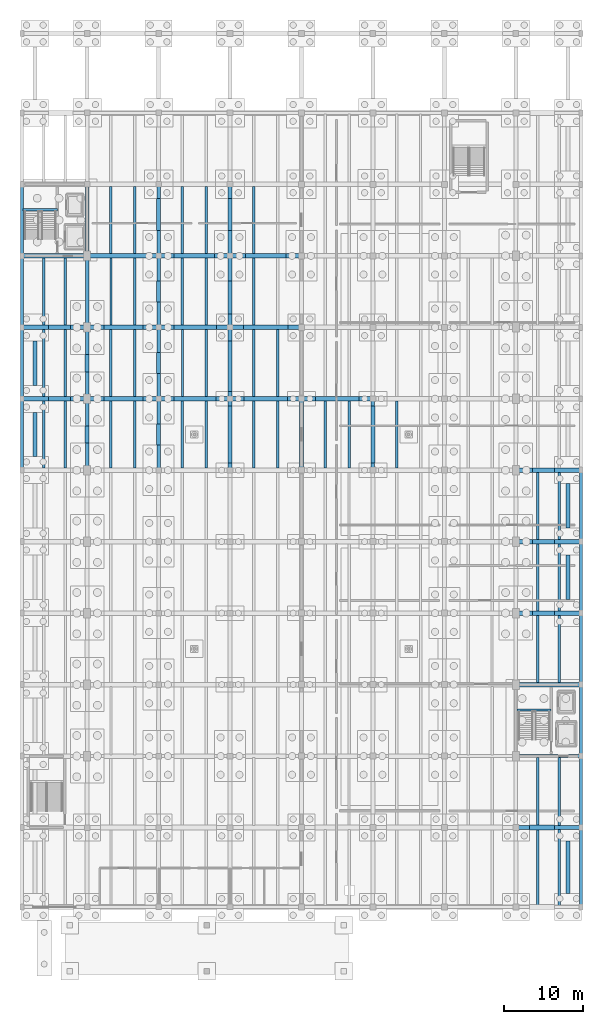
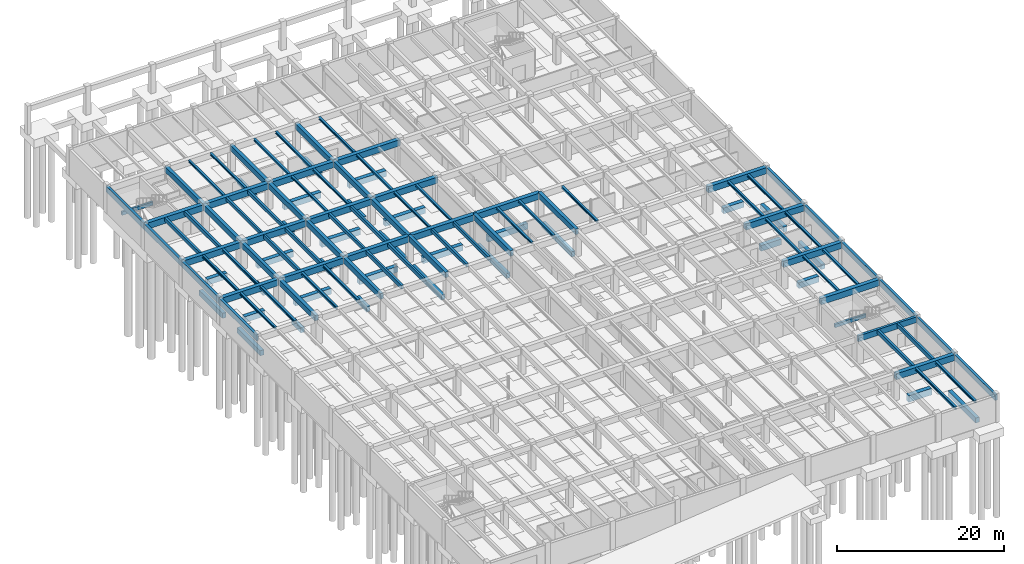
# One storey, part 14 of 23: 118 beams.
"""IFC4 building model written with IfcOpenShell, lengths in metres."""

from ifc_helpers import new_model, si_unit, direction, frame, origin, origin_2d, place, context, subcontext, project, spatial, rectangle, i_section, extrude, material, material_profile, profile_set, type_object, element, save


model = new_model("IFC4")

# Units and contexts
model_context = context("Model", 3, precision=1e-05, world=origin(), true_north=direction((0.0, 1.0)))
body_context = subcontext(model_context, "Body", "Model", "MODEL_VIEW")
ifc_project = project(units=[si_unit("LENGTHUNIT", "METRE"), si_unit("AREAUNIT", "SQUARE_METRE"), si_unit("VOLUMEUNIT", "CUBIC_METRE"), si_unit("PLANEANGLEUNIT", "RADIAN"), si_unit("MASSUNIT", "GRAM", prefix="KILO")], contexts=[model_context])

# Site, building, storey
site_placement = place(None, origin())
site = spatial("IfcSite", under=ifc_project, at=site_placement, CompositionType="ELEMENT")
building_placement = place(site_placement, origin())
building = spatial("IfcBuilding", under=site, at=building_placement, Name="Ornek Quay Market", CompositionType="ELEMENT")
storey_placement = place(building_placement, frame((0.0, 0.0, -4.199951171875)))
storey = spatial("IfcBuildingStorey", under=building, at=storey_placement, Name="B1", CompositionType="ELEMENT", Elevation=-4.199951171875)

# Beams
ifc_material_1 = material(Name="Concrete C35/45", Category="concrete")
ifc_material_profile_1 = material_profile(ifc_material_1, rectangle(XDim=0.449951171875, YDim=0.800048828125, at=origin_2d()), Name="RC 450x800", Category="concrete")
ifc_profile_set_1 = profile_set([ifc_material_profile_1], Name="Concrete C35/45")
beam_type_1 = type_object("IfcBeamType", Name="BM-B1-450x800", PredefinedType="BEAM", material=ifc_profile_set_1)
for number, where, z_axis, x_axis, name in (
    (1, (63.0, 65.0, 3.4599609375), (0.0, 1.0, 0.0), (-1.0, 0.0, 0.0), "Primary beam B-B1B-019"),
    (2, (63.0, 74.0, 3.4599609375), (0.0, 1.0, 0.0), (-1.0, 0.0, 0.0), "Primary beam B-B1B-020"),
    (3, (63.0, 83.0, 3.4599609375), (0.0, 1.0, 0.0), (-1.0, 0.0, 0.0), "Primary beam B-B1B-021"),
    (4, (63.0, 92.0, 3.4599609375), (0.0, 1.0, 0.0), (-1.0, 0.0, 0.0), "Primary beam B-B1B-022"),
    (5, (72.0, 65.0, 3.4599609375), (0.0, 1.0, 0.0), (-1.0, 0.0, 0.0), "Primary beam B-B1B-028"),
    (6, (72.0, 74.0, 3.4599609375), (0.0, 1.0, 0.0), (-1.0, 0.0, 0.0), "Primary beam B-B1B-029"),
    (7, (72.0, 83.0, 3.4599609375), (0.0, 1.0, 0.0), (-1.0, 0.0, 0.0), "Primary beam B-B1B-030"),
    (8, (72.0, 92.0, 3.4599609375), (0.0, 1.0, 0.0), (-1.0, 0.0, 0.0), "Primary beam B-B1B-031"),
    (9, (81.0, 65.0, 3.4599609375), (0.0, 1.0, 0.0), (-1.0, 0.0, 0.0), "Primary beam B-B1B-037"),
    (10, (81.0, 74.0, 3.4599609375), (0.0, 1.0, 0.0), (-1.0, 0.0, 0.0), "Primary beam B-B1B-038"),
    (11, (81.0, 83.0, 3.4599609375), (0.0, 1.0, 0.0), (-1.0, 0.0, 0.0), "Primary beam B-B1B-039"),
    (12, (81.0, 92.0, 3.4599609375), (0.0, 1.0, 0.0), (-1.0, 0.0, 0.0), "Primary beam B-B1B-040"),
    (13, (90.0, 65.0, 3.4599609375), (0.0, 1.0, 0.0), (-1.0, 0.0, 0.0), "Primary beam B-B1B-046"),
    (14, (99.0, 65.0, 3.4599609375), (0.0, 1.0, 0.0), (-1.0, 0.0, 0.0), "Primary beam B-B1B-055"),
):
    element("IfcBeam", number, at=place(storey_placement, frame(where, z_axis=z_axis, x_axis=x_axis)), inside=storey, type_object=beam_type_1, Name=name, PredefinedType="BEAM", context=body_context, shape_type="SweptSolid", body=[
        extrude(rectangle(XDim=0.449951171875, YDim=0.800048828125, at=origin_2d()), origin(), (0.0, 0.0, 1.0), 9.0),
    ])
ifc_material_2 = material(Name="Concrete C40/50", Category="concrete")
ifc_material_profile_2 = material_profile(ifc_material_2, rectangle(XDim=0.550048828125, YDim=0.89990234375, at=origin_2d()), Name="RC 550x900", Category="concrete")
ifc_profile_set_2 = profile_set([ifc_material_profile_2], Name="Concrete C40/50")
beam_type_2 = type_object("IfcBeamType", Name="BM-B1-550x900", PredefinedType="BEAM", material=ifc_profile_set_2)
for number, where, z_axis, x_axis, name in (
    (15, (117.0, 20.0, 3.369873046875), (1.0, 0.0, 0.0), (0.0, 1.0, 0.0), "Primary beam B-B1A-008"),
    (16, (117.0, 38.0, 3.409912109375), (1.0, 0.0, 0.0), (0.0, 1.0, 0.0), "Primary beam B-B1A-016"),
    (17, (117.0, 47.0, 3.409912109375), (1.0, 0.0, 0.0), (0.0, 1.0, 0.0), "Primary beam B-B1A-024"),
    (18, (117.0, 56.0, 3.409912109375), (1.0, 0.0, 0.0), (0.0, 1.0, 0.0), "Primary beam B-B1A-032"),
    (19, (117.0, 65.0, 3.409912109375), (1.0, 0.0, 0.0), (0.0, 1.0, 0.0), "Primary beam B-B1A-040"),
    (20, (54.800048828125, 74.0, 3.409912109375), (1.0, 0.0, 0.0), (0.0, 1.0, 0.0), "Primary beam B-B1A-041"),
):
    element("IfcBeam", number, at=place(storey_placement, frame(where, z_axis=z_axis, x_axis=x_axis)), inside=storey, type_object=beam_type_2, Name=name, PredefinedType="BEAM", context=body_context, shape_type="SweptSolid", body=[
        extrude(rectangle(XDim=0.550048828125, YDim=0.89990234375, at=origin_2d()), origin(), (0.0, 0.0, 1.0), 8.199951171875),
    ])
for number, where, z_axis, x_axis, name in (
    (21, (63.0, 74.0, 3.409912109375), (1.0, 0.0, 0.0), (0.0, 1.0, 0.0), "Primary beam B-B1A-042"),
    (22, (72.0, 74.0, 3.409912109375), (1.0, 0.0, 0.0), (0.0, 1.0, 0.0), "Primary beam B-B1A-043"),
    (23, (81.0, 74.0, 3.409912109375), (1.0, 0.0, 0.0), (0.0, 1.0, 0.0), "Primary beam B-B1A-044"),
    (24, (90.0, 74.0, 3.409912109375), (1.0, 0.0, 0.0), (0.0, 1.0, 0.0), "Primary beam B-B1A-045"),
):
    element("IfcBeam", number, at=place(storey_placement, frame(where, z_axis=z_axis, x_axis=x_axis)), inside=storey, type_object=beam_type_2, Name=name, PredefinedType="BEAM", context=body_context, shape_type="SweptSolid", body=[
        extrude(rectangle(XDim=0.550048828125, YDim=0.89990234375, at=origin_2d()), origin(), (0.0, 0.0, 1.0), 9.0),
    ])
beam_1_placement = place(storey_placement, frame((54.800048828125, 83.0, 3.409912109375), z_axis=(1.0, 0.0, 0.0), x_axis=(0.0, 1.0, 0.0)))
element("IfcBeam", 25, at=beam_1_placement, inside=storey, type_object=beam_type_2, Name="Primary beam B-B1A-049", PredefinedType="BEAM", context=body_context, shape_type="SweptSolid", body=[
    extrude(rectangle(XDim=0.550048828125, YDim=0.89990234375, at=origin_2d()), origin(), (0.0, 0.0, 1.0), 8.199951171875),
])
for number, where, z_axis, x_axis, name in (
    (26, (63.0, 83.0, 3.409912109375), (1.0, 0.0, 0.0), (0.0, 1.0, 0.0), "Primary beam B-B1A-050"),
    (27, (72.0, 83.0, 3.409912109375), (1.0, 0.0, 0.0), (0.0, 1.0, 0.0), "Primary beam B-B1A-051"),
    (28, (81.0, 83.0, 3.409912109375), (1.0, 0.0, 0.0), (0.0, 1.0, 0.0), "Primary beam B-B1A-052"),
):
    element("IfcBeam", number, at=place(storey_placement, frame(where, z_axis=z_axis, x_axis=x_axis)), inside=storey, type_object=beam_type_2, Name=name, PredefinedType="BEAM", context=body_context, shape_type="SweptSolid", body=[
        extrude(rectangle(XDim=0.550048828125, YDim=0.89990234375, at=origin_2d()), origin(), (0.0, 0.0, 1.0), 9.0),
    ])
beam_2_placement = place(storey_placement, frame((54.800048828125, 92.0, 3.409912109375), z_axis=(1.0, 0.0, 0.0), x_axis=(0.0, 1.0, 0.0)))
element("IfcBeam", 29, at=beam_2_placement, inside=storey, type_object=beam_type_2, Name="Primary beam B-B1A-057", PredefinedType="BEAM", context=body_context, shape_type="SweptSolid", body=[
    extrude(rectangle(XDim=0.550048828125, YDim=0.89990234375, at=origin_2d()), origin(), (0.0, 0.0, 1.0), 8.199951171875),
])
for number, where, z_axis, x_axis, name in (
    (30, (63.0, 92.0, 3.409912109375), (1.0, 0.0, 0.0), (0.0, 1.0, 0.0), "Primary beam B-B1A-058"),
    (31, (72.0, 92.0, 3.409912109375), (1.0, 0.0, 0.0), (0.0, 1.0, 0.0), "Primary beam B-B1A-059"),
    (32, (81.0, 92.0, 3.409912109375), (1.0, 0.0, 0.0), (0.0, 1.0, 0.0), "Primary beam B-B1A-060"),
):
    element("IfcBeam", number, at=place(storey_placement, frame(where, z_axis=z_axis, x_axis=x_axis)), inside=storey, type_object=beam_type_2, Name=name, PredefinedType="BEAM", context=body_context, shape_type="SweptSolid", body=[
        extrude(rectangle(XDim=0.550048828125, YDim=0.89990234375, at=origin_2d()), origin(), (0.0, 0.0, 1.0), 9.0),
    ])
ifc_material_profile_3 = material_profile(ifc_material_1, rectangle(XDim=0.5, YDim=0.75, at=origin_2d()), Name="RC 500x750", Category="concrete")
ifc_profile_set_3 = profile_set([ifc_material_profile_3], Name="Concrete C35/45")
beam_type_3 = type_object("IfcBeamType", Name="BM-GB-500x750", PredefinedType="BEAM", material=ifc_profile_set_3)
for number, where, z_axis, x_axis, name in (
    (33, (56.419921875, 66.699951171875, -0.375), (0.0, 1.0, 0.0), (-1.0, 0.0, 0.0), "Ground tie beam GB-216"),
    (34, (56.419921875, 75.699951171875, -0.375), (0.0, 1.0, 0.0), (-1.0, 0.0, 0.0), "Ground tie beam GB-217"),
):
    element("IfcBeam", number, at=place(storey_placement, frame(where, z_axis=z_axis, x_axis=x_axis)), inside=storey, type_object=beam_type_3, Name=name, PredefinedType="BEAM", context=body_context, shape_type="SweptSolid", body=[
        extrude(rectangle(XDim=0.5, YDim=0.75, at=origin_2d()), origin(), (0.0, 0.0, 1.0), 5.60009765625),
    ])
for number, where, z_axis, x_axis, name in (
    (35, (63.0, 68.39990234375, -0.375), (0.0, 1.0, 0.0), (-1.0, 0.0, 0.0), "Ground tie beam GB-225"),
    (36, (63.0, 77.39990234375, -0.375), (0.0, 1.0, 0.0), (-1.0, 0.0, 0.0), "Ground tie beam GB-226"),
):
    element("IfcBeam", number, at=place(storey_placement, frame(where, z_axis=z_axis, x_axis=x_axis)), inside=storey, type_object=beam_type_3, Name=name, PredefinedType="BEAM", context=body_context, shape_type="SweptSolid", body=[
        extrude(rectangle(XDim=0.5, YDim=0.75, at=origin_2d()), origin(), (0.0, 0.0, 1.0), 2.2001953125),
    ])
for number, where, z_axis, x_axis, name in (
    (37, (72.0, 68.199951171875, -0.375), (0.0, 1.0, 0.0), (-1.0, 0.0, 0.0), "Ground tie beam GB-234"),
    (38, (72.0, 77.199951171875, -0.375), (0.0, 1.0, 0.0), (-1.0, 0.0, 0.0), "Ground tie beam GB-235"),
    (39, (72.0, 86.199951171875, -0.375), (0.0, 1.0, 0.0), (-1.0, 0.0, 0.0), "Ground tie beam GB-236"),
):
    element("IfcBeam", number, at=place(storey_placement, frame(where, z_axis=z_axis, x_axis=x_axis)), inside=storey, type_object=beam_type_3, Name=name, PredefinedType="BEAM", context=body_context, shape_type="SweptSolid", body=[
        extrude(rectangle(XDim=0.5, YDim=0.75, at=origin_2d()), origin(), (0.0, 0.0, 1.0), 2.60009765625),
    ])
beam_3_placement = place(storey_placement, frame((72.0, 95.199951171875, -0.375), z_axis=(0.0, 1.0, 0.0), x_axis=(-1.0, 0.0, 0.0)))
element("IfcBeam", 40, at=beam_3_placement, inside=storey, type_object=beam_type_3, Name="Ground tie beam GB-237", PredefinedType="BEAM", context=body_context, shape_type="SweptSolid", body=[
    extrude(rectangle(XDim=0.5, YDim=0.75, at=origin_2d()), origin(), (0.0, 0.0, 1.0), 4.0),
])
beam_4_placement = place(storey_placement, frame((81.0, 65.89990234375, -0.375), z_axis=(0.0, 1.0, 0.0), x_axis=(-1.0, 0.0, 0.0)))
element("IfcBeam", 41, at=beam_4_placement, inside=storey, type_object=beam_type_3, Name="Ground tie beam GB-246", PredefinedType="BEAM", context=body_context, shape_type="SweptSolid", body=[
    extrude(rectangle(XDim=0.5, YDim=0.75, at=origin_2d()), origin(), (0.0, 0.0, 1.0), 7.2001953125),
])
beam_5_placement = place(storey_placement, frame((81.0, 74.89990234375, -0.375), z_axis=(0.0, 1.0, 0.0), x_axis=(-1.0, 0.0, 0.0)))
element("IfcBeam", 42, at=beam_5_placement, inside=storey, type_object=beam_type_3, Name="Ground tie beam GB-247", PredefinedType="BEAM", context=body_context, shape_type="SweptSolid", body=[
    extrude(rectangle(XDim=0.5, YDim=0.75, at=origin_2d()), origin(), (0.0, 0.0, 1.0), 6.400146484375),
])
beam_6_placement = place(storey_placement, frame((81.0, 84.699951171875, -0.375), z_axis=(0.0, 1.0, 0.0), x_axis=(-1.0, 0.0, 0.0)))
element("IfcBeam", 43, at=beam_6_placement, inside=storey, type_object=beam_type_3, Name="Ground tie beam GB-248", PredefinedType="BEAM", context=body_context, shape_type="SweptSolid", body=[
    extrude(rectangle(XDim=0.5, YDim=0.75, at=origin_2d()), origin(), (0.0, 0.0, 1.0), 4.10009765625),
])
beam_7_placement = place(storey_placement, frame((81.0, 95.199951171875, -0.375), z_axis=(0.0, 1.0, 0.0), x_axis=(-1.0, 0.0, 0.0)))
element("IfcBeam", 44, at=beam_7_placement, inside=storey, type_object=beam_type_3, Name="Ground tie beam GB-249", PredefinedType="BEAM", context=body_context, shape_type="SweptSolid", body=[
    extrude(rectangle(XDim=0.5, YDim=0.75, at=origin_2d()), origin(), (0.0, 0.0, 1.0), 4.0),
])
for number, where, z_axis, x_axis, name in (
    (45, (90.0, 65.89990234375, -0.375), (0.0, 1.0, 0.0), (-1.0, 0.0, 0.0), "Ground tie beam GB-258"),
    (46, (99.0, 65.89990234375, -0.375), (0.0, 1.0, 0.0), (-1.0, 0.0, 0.0), "Ground tie beam GB-270"),
):
    element("IfcBeam", number, at=place(storey_placement, frame(where, z_axis=z_axis, x_axis=x_axis)), inside=storey, type_object=beam_type_3, Name=name, PredefinedType="BEAM", context=body_context, shape_type="SweptSolid", body=[
        extrude(rectangle(XDim=0.5, YDim=0.75, at=origin_2d()), origin(), (0.0, 0.0, 1.0), 7.2001953125),
    ])
beam_8_placement = place(storey_placement, frame((123.580078125, 11.699951171875, -0.375), z_axis=(0.0, 1.0, 0.0), x_axis=(-1.0, 0.0, 0.0)))
element("IfcBeam", 47, at=beam_8_placement, inside=storey, type_object=beam_type_3, Name="Ground tie beam GB-297", PredefinedType="BEAM", context=body_context, shape_type="SweptSolid", body=[
    extrude(rectangle(XDim=0.5, YDim=0.75, at=origin_2d()), origin(), (0.0, 0.0, 1.0), 6.60009765625),
])
for number, where, z_axis, x_axis, name in (
    (48, (123.580078125, 48.699951171875, -0.375), (0.0, 1.0, 0.0), (-1.0, 0.0, 0.0), "Ground tie beam GB-298"),
    (49, (123.580078125, 57.699951171875, -0.375), (0.0, 1.0, 0.0), (-1.0, 0.0, 0.0), "Ground tie beam GB-299"),
):
    element("IfcBeam", number, at=place(storey_placement, frame(where, z_axis=z_axis, x_axis=x_axis)), inside=storey, type_object=beam_type_3, Name=name, PredefinedType="BEAM", context=body_context, shape_type="SweptSolid", body=[
        extrude(rectangle(XDim=0.5, YDim=0.75, at=origin_2d()), origin(), (0.0, 0.0, 1.0), 5.60009765625),
    ])
ifc_material_profile_4 = material_profile(ifc_material_1, rectangle(XDim=0.550048828125, YDim=0.85009765625, at=origin_2d()), Name="RC 550x850", Category="concrete")
ifc_profile_set_4 = profile_set([ifc_material_profile_4], Name="Concrete C35/45")
beam_type_4 = type_object("IfcBeamType", Name="BM-GB-550x850", PredefinedType="BEAM", material=ifc_profile_set_4)
for number, where, z_axis, x_axis, name in (
    (50, (119.10009765625, 47.0, -0.425048828125), (1.0, 0.0, 0.0), (0.0, 1.0, 0.0), "Ground tie beam GB-149"),
    (51, (119.10009765625, 56.0, -0.425048828125), (1.0, 0.0, 0.0), (0.0, 1.0, 0.0), "Ground tie beam GB-157"),
    (52, (119.10009765625, 65.0, -0.425048828125), (1.0, 0.0, 0.0), (0.0, 1.0, 0.0), "Ground tie beam GB-165"),
    (53, (58.1201171875, 74.0, -0.425048828125), (1.0, 0.0, 0.0), (0.0, 1.0, 0.0), "Ground tie beam GB-166"),
):
    element("IfcBeam", number, at=place(storey_placement, frame(where, z_axis=z_axis, x_axis=x_axis)), inside=storey, type_object=beam_type_4, Name=name, PredefinedType="BEAM", context=body_context, shape_type="SweptSolid", body=[
        extrude(rectangle(XDim=0.550048828125, YDim=0.85009765625, at=origin_2d()), origin(), (0.0, 0.0, 1.0), 2.77978515625),
    ])
beam_9_placement = place(storey_placement, frame((65.10009765625, 74.0, -0.425048828125), z_axis=(1.0, 0.0, 0.0), x_axis=(0.0, 1.0, 0.0)))
element("IfcBeam", 54, at=beam_9_placement, inside=storey, type_object=beam_type_4, Name="Ground tie beam GB-167", PredefinedType="BEAM", context=body_context, shape_type="SweptSolid", body=[
    extrude(rectangle(XDim=0.550048828125, YDim=0.85009765625, at=origin_2d()), origin(), (0.0, 0.0, 1.0), 4.949951171875),
])
beam_10_placement = place(storey_placement, frame((73.949951171875, 74.0, -0.425048828125), z_axis=(1.0, 0.0, 0.0), x_axis=(0.0, 1.0, 0.0)))
element("IfcBeam", 55, at=beam_10_placement, inside=storey, type_object=beam_type_4, Name="Ground tie beam GB-168", PredefinedType="BEAM", context=body_context, shape_type="SweptSolid", body=[
    extrude(rectangle(XDim=0.550048828125, YDim=0.85009765625, at=origin_2d()), origin(), (0.0, 0.0, 1.0), 5.300048828125),
])
for number, where, z_axis, x_axis, name in (
    (56, (82.75, 74.0, -0.425048828125), (1.0, 0.0, 0.0), (0.0, 1.0, 0.0), "Ground tie beam GB-169"),
    (57, (91.75, 74.0, -0.425048828125), (1.0, 0.0, 0.0), (0.0, 1.0, 0.0), "Ground tie beam GB-170"),
):
    element("IfcBeam", number, at=place(storey_placement, frame(where, z_axis=z_axis, x_axis=x_axis)), inside=storey, type_object=beam_type_4, Name=name, PredefinedType="BEAM", context=body_context, shape_type="SweptSolid", body=[
        extrude(rectangle(XDim=0.550048828125, YDim=0.85009765625, at=origin_2d()), origin(), (0.0, 0.0, 1.0), 5.5),
    ])
beam_11_placement = place(storey_placement, frame((58.1201171875, 83.0, -0.425048828125), z_axis=(1.0, 0.0, 0.0), x_axis=(0.0, 1.0, 0.0)))
element("IfcBeam", 58, at=beam_11_placement, inside=storey, type_object=beam_type_4, Name="Ground tie beam GB-174", PredefinedType="BEAM", context=body_context, shape_type="SweptSolid", body=[
    extrude(rectangle(XDim=0.550048828125, YDim=0.85009765625, at=origin_2d()), origin(), (0.0, 0.0, 1.0), 2.77978515625),
])
beam_12_placement = place(storey_placement, frame((65.10009765625, 83.0, -0.425048828125), z_axis=(1.0, 0.0, 0.0), x_axis=(0.0, 1.0, 0.0)))
element("IfcBeam", 59, at=beam_12_placement, inside=storey, type_object=beam_type_4, Name="Ground tie beam GB-175", PredefinedType="BEAM", context=body_context, shape_type="SweptSolid", body=[
    extrude(rectangle(XDim=0.550048828125, YDim=0.85009765625, at=origin_2d()), origin(), (0.0, 0.0, 1.0), 4.949951171875),
])
beam_13_placement = place(storey_placement, frame((73.949951171875, 83.0, -0.425048828125), z_axis=(1.0, 0.0, 0.0), x_axis=(0.0, 1.0, 0.0)))
element("IfcBeam", 60, at=beam_13_placement, inside=storey, type_object=beam_type_4, Name="Ground tie beam GB-176", PredefinedType="BEAM", context=body_context, shape_type="SweptSolid", body=[
    extrude(rectangle(XDim=0.550048828125, YDim=0.85009765625, at=origin_2d()), origin(), (0.0, 0.0, 1.0), 5.35009765625),
])
beam_14_placement = place(storey_placement, frame((82.699951171875, 83.0, -0.425048828125), z_axis=(1.0, 0.0, 0.0), x_axis=(0.0, 1.0, 0.0)))
element("IfcBeam", 61, at=beam_14_placement, inside=storey, type_object=beam_type_4, Name="Ground tie beam GB-177", PredefinedType="BEAM", context=body_context, shape_type="SweptSolid", body=[
    extrude(rectangle(XDim=0.550048828125, YDim=0.85009765625, at=origin_2d()), origin(), (0.0, 0.0, 1.0), 5.60009765625),
])
for number, where, z_axis, x_axis, name in (
    (62, (73.949951171875, 92.0, -0.425048828125), (1.0, 0.0, 0.0), (0.0, 1.0, 0.0), "Ground tie beam GB-182"),
    (63, (82.949951171875, 92.0, -0.425048828125), (1.0, 0.0, 0.0), (0.0, 1.0, 0.0), "Ground tie beam GB-183"),
):
    element("IfcBeam", number, at=place(storey_placement, frame(where, z_axis=z_axis, x_axis=x_axis)), inside=storey, type_object=beam_type_4, Name=name, PredefinedType="BEAM", context=body_context, shape_type="SweptSolid", body=[
        extrude(rectangle(XDim=0.550048828125, YDim=0.85009765625, at=origin_2d()), origin(), (0.0, 0.0, 1.0), 5.10009765625),
    ])
ifc_material_profile_5 = material_profile(ifc_material_1, rectangle(XDim=0.60009765625, YDim=0.949951171875, at=origin_2d()), Name="RC 600x950", Category="concrete")
ifc_profile_set_5 = profile_set([ifc_material_profile_5], Name="Concrete C35/45")
beam_type_5 = type_object("IfcBeamType", Name="BM-GB-600x950", PredefinedType="BEAM", material=ifc_profile_set_5)
beam_15_placement = place(storey_placement, frame((118.699951171875, 20.0, -0.47509765625), z_axis=(1.0, 0.0, 0.0), x_axis=(0.0, 1.0, 0.0)))
element("IfcBeam", 64, at=beam_15_placement, inside=storey, type_object=beam_type_5, Name="Ground tie beam GB-129", PredefinedType="BEAM", context=body_context, shape_type="SweptSolid", body=[
    extrude(rectangle(XDim=0.60009765625, YDim=0.949951171875, at=origin_2d()), origin(), (0.0, 0.0, 1.0), 3.179931640625),
])
ifc_material_profile_6 = material_profile(ifc_material_1, rectangle(XDim=0.280029296875, YDim=0.5, at=origin_2d()), Name="RC 280x500", Category="concrete")
ifc_profile_set_6 = profile_set([ifc_material_profile_6], Name="Concrete C35/45")
beam_type_6 = type_object("IfcBeamType", Name="BM-SEC-280x500", PredefinedType="JOIST", material=ifc_profile_set_6)
for number, where, z_axis, x_axis, name in (
    (65, (66.0, 83.26708984375, 3.60986328125), (0.0, 1.0, 0.0), (-1.0, 0.0, 0.0), "Secondary joist B-SC2-005"),
    (66, (69.0, 83.26708984375, 3.60986328125), (0.0, 1.0, 0.0), (-1.0, 0.0, 0.0), "Secondary joist B-SC2-006"),
    (67, (75.0, 74.26708984375, 3.60986328125), (0.0, 1.0, 0.0), (-1.0, 0.0, 0.0), "Secondary joist B-SC2-007"),
    (68, (78.0, 74.26708984375, 3.60986328125), (0.0, 1.0, 0.0), (-1.0, 0.0, 0.0), "Secondary joist B-SC2-008"),
    (69, (84.0, 65.26708984375, 3.60986328125), (0.0, 1.0, 0.0), (-1.0, 0.0, 0.0), "Secondary joist B-SC2-009"),
    (70, (87.0, 65.26708984375, 3.60986328125), (0.0, 1.0, 0.0), (-1.0, 0.0, 0.0), "Secondary joist B-SC2-010"),
):
    element("IfcBeam", number, at=place(storey_placement, frame(where, z_axis=z_axis, x_axis=x_axis)), inside=storey, type_object=beam_type_6, Name=name, PredefinedType="JOIST", context=body_context, shape_type="SweptSolid", body=[
        extrude(rectangle(XDim=0.280029296875, YDim=0.5, at=origin_2d()), origin(), (0.0, 0.0, 1.0), 8.4658203125),
    ])
for number, where, z_axis, x_axis, name in (
    (71, (54.949951171875, 97.7919921875, 1.68505859375), (1.0, 0.0, 0.0), (0.0, 1.0, 0.0), "Stair landing beam BL-04"),
    (72, (117.14990234375, 34.7919921875, 1.68505859375), (1.0, 0.0, 0.0), (0.0, 1.0, 0.0), "Stair landing beam BL-07"),
):
    element("IfcBeam", number, at=place(storey_placement, frame(where, z_axis=z_axis, x_axis=x_axis)), inside=storey, type_object=beam_type_6, Name=name, PredefinedType="JOIST", context=body_context, shape_type="SweptSolid", body=[
        extrude(rectangle(XDim=0.280029296875, YDim=0.5, at=origin_2d()), origin(), (0.0, 0.0, 1.0), 4.300048828125),
    ])
ifc_material_profile_7 = material_profile(ifc_material_1, rectangle(XDim=0.300048828125, YDim=0.550048828125, at=origin_2d()), Name="RC 300x550", Category="concrete")
ifc_profile_set_7 = profile_set([ifc_material_profile_7], Name="Concrete C35/45")
beam_type_7 = type_object("IfcBeamType", Name="BM-SEC-300x550", PredefinedType="JOIST", material=ifc_profile_set_7)
for number, where, z_axis, x_axis, name in (
    (73, (119.7333984375, 20.26708984375, 3.544921875), (0.0, 1.0, 0.0), (-1.0, 0.0, 0.0), "Secondary joist B-SC1-007"),
    (74, (122.466796875, 20.26708984375, 3.544921875), (0.0, 1.0, 0.0), (-1.0, 0.0, 0.0), "Secondary joist B-SC1-008"),
):
    element("IfcBeam", number, at=place(storey_placement, frame(where, z_axis=z_axis, x_axis=x_axis)), inside=storey, type_object=beam_type_7, Name=name, PredefinedType="JOIST", context=body_context, shape_type="SweptSolid", body=[
        extrude(rectangle(XDim=0.300048828125, YDim=0.550048828125, at=origin_2d()), origin(), (0.0, 0.0, 1.0), 8.56591796875),
    ])
for number, where, z_axis, x_axis, name in (
    (75, (57.533203125, 83.26708984375, 3.5849609375), (0.0, 1.0, 0.0), (-1.0, 0.0, 0.0), "Secondary joist B-SC1-011"),
    (76, (60.2666015625, 83.26708984375, 3.5849609375), (0.0, 1.0, 0.0), (-1.0, 0.0, 0.0), "Secondary joist B-SC1-012"),
    (77, (66.0, 74.26708984375, 3.5849609375), (0.0, 1.0, 0.0), (-1.0, 0.0, 0.0), "Secondary joist B-SC1-013"),
    (78, (69.0, 74.26708984375, 3.5849609375), (0.0, 1.0, 0.0), (-1.0, 0.0, 0.0), "Secondary joist B-SC1-014"),
    (79, (75.0, 65.26708984375, 3.5849609375), (0.0, 1.0, 0.0), (-1.0, 0.0, 0.0), "Secondary joist B-SC1-015"),
    (80, (78.0, 65.26708984375, 3.5849609375), (0.0, 1.0, 0.0), (-1.0, 0.0, 0.0), "Secondary joist B-SC1-016"),
):
    element("IfcBeam", number, at=place(storey_placement, frame(where, z_axis=z_axis, x_axis=x_axis)), inside=storey, type_object=beam_type_7, Name=name, PredefinedType="JOIST", context=body_context, shape_type="SweptSolid", body=[
        extrude(rectangle(XDim=0.300048828125, YDim=0.550048828125, at=origin_2d()), origin(), (0.0, 0.0, 1.0), 8.4658203125),
    ])
ifc_material_profile_8 = material_profile(ifc_material_2, rectangle(XDim=0.35009765625, YDim=0.85009765625, at=origin_2d()), Name="RC 350x850", Category="concrete")
ifc_profile_set_8 = profile_set([ifc_material_profile_8], Name="Concrete C40/50")
beam_type_8 = type_object("IfcBeamType", Name="BM-SPN-350x850", PredefinedType="SPANDREL", material=ifc_profile_set_8)
beam_16_placement = place(storey_placement, frame((117.0, 29.0, 3.39501953125), z_axis=(1.0, 0.0, 0.0), x_axis=(0.0, 1.0, 0.0)))
element("IfcBeam", 81, at=beam_16_placement, inside=storey, type_object=beam_type_8, Name="Primary beam B-SP1-016", PredefinedType="SPANDREL", context=body_context, shape_type="SweptSolid", body=[
    extrude(rectangle(XDim=0.35009765625, YDim=0.85009765625, at=origin_2d()), origin(), (0.0, 0.0, 1.0), 8.199951171875),
])
beam_17_placement = place(storey_placement, frame((125.199951171875, 10.0, 3.39501953125), z_axis=(0.0, 1.0, 0.0), x_axis=(-1.0, 0.0, 0.0)))
element("IfcBeam", 82, at=beam_17_placement, inside=storey, type_object=beam_type_8, Name="Primary beam B-SP1-019", PredefinedType="SPANDREL", context=body_context, shape_type="SweptSolid", body=[
    extrude(rectangle(XDim=0.35009765625, YDim=0.85009765625, at=origin_2d()), origin(), (0.0, 0.0, 1.0), 10.0),
])
for number, where, z_axis, x_axis, name in (
    (83, (125.199951171875, 20.0, 3.39501953125), (0.0, 1.0, 0.0), (-1.0, 0.0, 0.0), "Primary beam B-SP1-020"),
    (84, (54.800048828125, 65.0, 3.43505859375), (0.0, 1.0, 0.0), (-1.0, 0.0, 0.0), "Primary beam B-SP1-033"),
    (85, (54.800048828125, 74.0, 3.43505859375), (0.0, 1.0, 0.0), (-1.0, 0.0, 0.0), "Primary beam B-SP1-034"),
    (86, (54.800048828125, 83.0, 3.43505859375), (0.0, 1.0, 0.0), (-1.0, 0.0, 0.0), "Primary beam B-SP1-035"),
    (87, (54.800048828125, 92.0, 3.43505859375), (0.0, 1.0, 0.0), (-1.0, 0.0, 0.0), "Primary beam B-SP1-036"),
    (88, (125.199951171875, 29.0, 3.43505859375), (0.0, 1.0, 0.0), (-1.0, 0.0, 0.0), "Primary beam B-SP1-038"),
    (89, (125.199951171875, 38.0, 3.43505859375), (0.0, 1.0, 0.0), (-1.0, 0.0, 0.0), "Primary beam B-SP1-039"),
    (90, (125.199951171875, 47.0, 3.43505859375), (0.0, 1.0, 0.0), (-1.0, 0.0, 0.0), "Primary beam B-SP1-040"),
    (91, (125.199951171875, 56.0, 3.43505859375), (0.0, 1.0, 0.0), (-1.0, 0.0, 0.0), "Primary beam B-SP1-041"),
):
    element("IfcBeam", number, at=place(storey_placement, frame(where, z_axis=z_axis, x_axis=x_axis)), inside=storey, type_object=beam_type_8, Name=name, PredefinedType="SPANDREL", context=body_context, shape_type="SweptSolid", body=[
        extrude(rectangle(XDim=0.35009765625, YDim=0.85009765625, at=origin_2d()), origin(), (0.0, 0.0, 1.0), 9.0),
    ])
ifc_material_3 = material(Name="Steel S355", Category="steel")
ifc_material_profile_9 = material_profile(ifc_material_3, i_section(OverallWidth=0.300048828125, OverallDepth=0.2900390625, WebThickness=0.008544921875, FlangeThickness=0.013916015625, FilletRadius=0.027099609375, at=origin_2d()), Name="HEA 300", Category="steel")
ifc_profile_set_9 = profile_set([ifc_material_profile_9], Name="Steel S355")
beam_type_9 = type_object("IfcBeamType", Name="BM-STL-HEA300", PredefinedType="BEAM", material=ifc_profile_set_9)
for number, where, z_axis, x_axis, name in (
    (92, (66.0, 92.26708984375, 3.71484375), (0.0, 1.0, 0.0), (-1.0, 0.0, 0.0), "Secondary joist SB-17-007"),
    (93, (69.0, 92.26708984375, 3.71484375), (0.0, 1.0, 0.0), (-1.0, 0.0, 0.0), "Secondary joist SB-17-008"),
    (94, (75.0, 83.26708984375, 3.71484375), (0.0, 1.0, 0.0), (-1.0, 0.0, 0.0), "Secondary joist SB-17-011"),
    (95, (78.0, 83.26708984375, 3.71484375), (0.0, 1.0, 0.0), (-1.0, 0.0, 0.0), "Secondary joist SB-17-012"),
    (96, (84.0, 74.26708984375, 3.71484375), (0.0, 1.0, 0.0), (-1.0, 0.0, 0.0), "Secondary joist SB-17-013"),
    (97, (87.0, 74.26708984375, 3.71484375), (0.0, 1.0, 0.0), (-1.0, 0.0, 0.0), "Secondary joist SB-17-014"),
    (98, (93.0, 65.26708984375, 3.71484375), (0.0, 1.0, 0.0), (-1.0, 0.0, 0.0), "Secondary joist SB-17-015"),
    (99, (96.0, 65.26708984375, 3.71484375), (0.0, 1.0, 0.0), (-1.0, 0.0, 0.0), "Secondary joist SB-17-016"),
    (100, (119.7333984375, 38.26708984375, 3.71484375), (0.0, 1.0, 0.0), (-1.0, 0.0, 0.0), "Secondary joist SB-17-021"),
    (101, (122.466796875, 38.26708984375, 3.71484375), (0.0, 1.0, 0.0), (-1.0, 0.0, 0.0), "Secondary joist SB-17-022"),
):
    element("IfcBeam", number, at=place(storey_placement, frame(where, z_axis=z_axis, x_axis=x_axis)), inside=storey, type_object=beam_type_9, Name=name, PredefinedType="BEAM", context=body_context, shape_type="SweptSolid", body=[
        extrude(i_section(OverallWidth=0.300048828125, OverallDepth=0.2900390625, WebThickness=0.008544921875, FlangeThickness=0.013916015625, FilletRadius=0.027099609375, at=origin_2d()), origin(), (0.0, 0.0, 1.0), 8.4658203125),
    ])
ifc_material_profile_10 = material_profile(ifc_material_3, i_section(OverallWidth=0.300048828125, OverallDepth=0.31005859375, WebThickness=0.009033203125, FlangeThickness=0.015380859375, FilletRadius=0.027099609375, at=origin_2d()), Name="HEA 320", Category="steel")
ifc_profile_set_10 = profile_set([ifc_material_profile_10], Name="Steel S355")
beam_type_10 = type_object("IfcBeamType", Name="BM-STL-HEA320", PredefinedType="BEAM", material=ifc_profile_set_10)
for number, where, z_axis, x_axis, name in (
    (102, (75.0, 92.26708984375, 3.704833984375), (0.0, 1.0, 0.0), (-1.0, 0.0, 0.0), "Secondary joist SB-18-009"),
    (103, (78.0, 92.26708984375, 3.704833984375), (0.0, 1.0, 0.0), (-1.0, 0.0, 0.0), "Secondary joist SB-18-010"),
    (104, (84.0, 83.26708984375, 3.704833984375), (0.0, 1.0, 0.0), (-1.0, 0.0, 0.0), "Secondary joist SB-18-013"),
    (105, (102.0, 65.26708984375, 3.704833984375), (0.0, 1.0, 0.0), (-1.0, 0.0, 0.0), "Secondary joist SB-18-017"),
    (106, (119.7333984375, 47.26708984375, 3.704833984375), (0.0, 1.0, 0.0), (-1.0, 0.0, 0.0), "Secondary joist SB-18-021"),
    (107, (122.466796875, 47.26708984375, 3.704833984375), (0.0, 1.0, 0.0), (-1.0, 0.0, 0.0), "Secondary joist SB-18-022"),
):
    element("IfcBeam", number, at=place(storey_placement, frame(where, z_axis=z_axis, x_axis=x_axis)), inside=storey, type_object=beam_type_10, Name=name, PredefinedType="BEAM", context=body_context, shape_type="SweptSolid", body=[
        extrude(i_section(OverallWidth=0.300048828125, OverallDepth=0.31005859375, WebThickness=0.009033203125, FlangeThickness=0.015380859375, FilletRadius=0.027099609375, at=origin_2d()), origin(), (0.0, 0.0, 1.0), 8.4658203125),
    ])
ifc_material_profile_11 = material_profile(ifc_material_3, i_section(OverallWidth=0.300048828125, OverallDepth=0.35009765625, WebThickness=0.010009765625, FlangeThickness=0.017578125, FilletRadius=0.027099609375, at=origin_2d()), Name="HEA 360", Category="steel")
ifc_profile_set_11 = profile_set([ifc_material_profile_11], Name="Steel S355")
beam_type_11 = type_object("IfcBeamType", Name="BM-STL-HEA360", PredefinedType="BEAM", material=ifc_profile_set_11)
for number, where, z_axis, x_axis, name in (
    (108, (57.533203125, 65.26708984375, 3.68505859375), (0.0, 1.0, 0.0), (-1.0, 0.0, 0.0), "Secondary joist SB-19-001"),
    (109, (60.2666015625, 65.26708984375, 3.68505859375), (0.0, 1.0, 0.0), (-1.0, 0.0, 0.0), "Secondary joist SB-19-002"),
    (110, (84.0, 92.26708984375, 3.68505859375), (0.0, 1.0, 0.0), (-1.0, 0.0, 0.0), "Secondary joist SB-19-011"),
    (111, (119.7333984375, 56.26708984375, 3.68505859375), (0.0, 1.0, 0.0), (-1.0, 0.0, 0.0), "Secondary joist SB-19-021"),
    (112, (122.466796875, 56.26708984375, 3.68505859375), (0.0, 1.0, 0.0), (-1.0, 0.0, 0.0), "Secondary joist SB-19-022"),
):
    element("IfcBeam", number, at=place(storey_placement, frame(where, z_axis=z_axis, x_axis=x_axis)), inside=storey, type_object=beam_type_11, Name=name, PredefinedType="BEAM", context=body_context, shape_type="SweptSolid", body=[
        extrude(i_section(OverallWidth=0.300048828125, OverallDepth=0.35009765625, WebThickness=0.010009765625, FlangeThickness=0.017578125, FilletRadius=0.027099609375, at=origin_2d()), origin(), (0.0, 0.0, 1.0), 8.4658203125),
    ])
ifc_material_profile_12 = material_profile(ifc_material_3, i_section(OverallWidth=0.300048828125, OverallDepth=0.389892578125, WebThickness=0.010986328125, FlangeThickness=0.01904296875, FilletRadius=0.027099609375, at=origin_2d()), Name="HEA 400", Category="steel")
ifc_profile_set_12 = profile_set([ifc_material_profile_12], Name="Steel S355")
beam_type_12 = type_object("IfcBeamType", Name="BM-STL-HEA400", PredefinedType="BEAM", material=ifc_profile_set_12)
for number, where, z_axis, x_axis, name in (
    (113, (57.533203125, 74.26708984375, 3.6650390625), (0.0, 1.0, 0.0), (-1.0, 0.0, 0.0), "Secondary joist SB-20-001"),
    (114, (60.2666015625, 74.26708984375, 3.6650390625), (0.0, 1.0, 0.0), (-1.0, 0.0, 0.0), "Secondary joist SB-20-002"),
    (115, (66.0, 65.26708984375, 3.6650390625), (0.0, 1.0, 0.0), (-1.0, 0.0, 0.0), "Secondary joist SB-20-003"),
    (116, (69.0, 65.26708984375, 3.6650390625), (0.0, 1.0, 0.0), (-1.0, 0.0, 0.0), "Secondary joist SB-20-004"),
):
    element("IfcBeam", number, at=place(storey_placement, frame(where, z_axis=z_axis, x_axis=x_axis)), inside=storey, type_object=beam_type_12, Name=name, PredefinedType="BEAM", context=body_context, shape_type="SweptSolid", body=[
        extrude(i_section(OverallWidth=0.300048828125, OverallDepth=0.389892578125, WebThickness=0.010986328125, FlangeThickness=0.01904296875, FilletRadius=0.027099609375, at=origin_2d()), origin(), (0.0, 0.0, 1.0), 8.4658203125),
    ])
ifc_material_profile_13 = material_profile(ifc_material_3, i_section(OverallWidth=0.300048828125, OverallDepth=0.360107421875, WebThickness=0.012451171875, FlangeThickness=0.0224609375, FilletRadius=0.027099609375, at=origin_2d()), Name="HEB 360", Category="steel")
ifc_profile_set_13 = profile_set([ifc_material_profile_13], Name="Steel S355")
beam_type_13 = type_object("IfcBeamType", Name="BM-STL-HEB360", PredefinedType="BEAM", material=ifc_profile_set_13)
for number, where, z_axis, x_axis, name in (
    (117, (119.7333984375, 10.1669921875, 3.639892578125), (0.0, 1.0, 0.0), (-1.0, 0.0, 0.0), "Secondary joist SB-24-007"),
    (118, (122.466796875, 10.1669921875, 3.639892578125), (0.0, 1.0, 0.0), (-1.0, 0.0, 0.0), "Secondary joist SB-24-008"),
):
    element("IfcBeam", number, at=place(storey_placement, frame(where, z_axis=z_axis, x_axis=x_axis)), inside=storey, type_object=beam_type_13, Name=name, PredefinedType="BEAM", context=body_context, shape_type="SweptSolid", body=[
        extrude(i_section(OverallWidth=0.300048828125, OverallDepth=0.360107421875, WebThickness=0.012451171875, FlangeThickness=0.0224609375, FilletRadius=0.027099609375, at=origin_2d()), origin(), (0.0, 0.0, 1.0), 9.56591796875),
    ])

save(model, "model.ifc")
